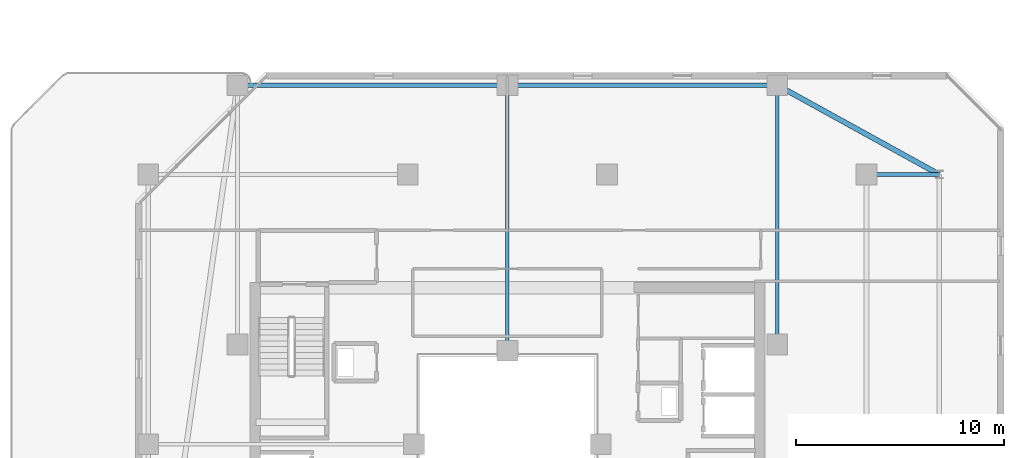
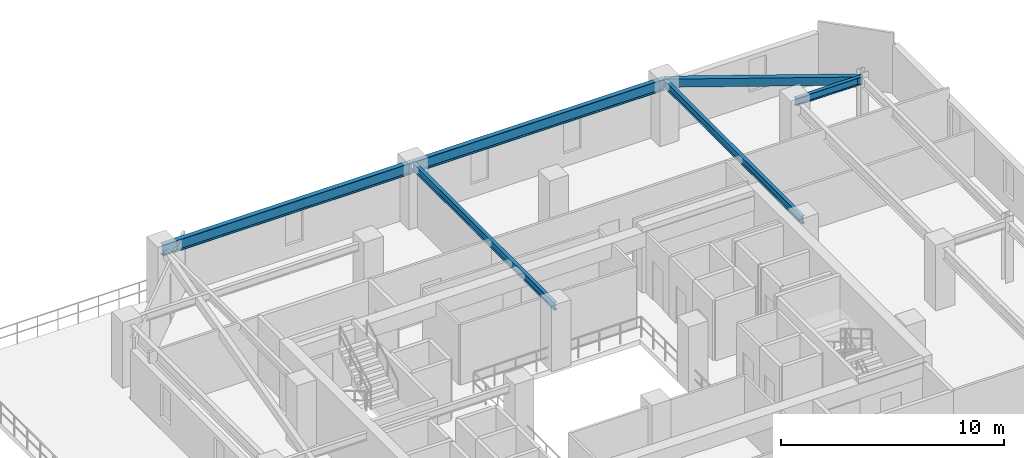
# One storey, part 15 of 29: 6 beams.
"""IFC4 building model written with IfcOpenShell, lengths in metres."""

from ifc_helpers import new_model, si_unit, direction, frame, origin, origin_2d, place, context, subcontext, project, spatial, hollow_rectangle, i_section, extrude, material, material_profile, profile_set, type_object, element, save


model = new_model("IFC4")

# Units and contexts
model_context = context("Model", 3, precision=1e-05, world=origin(), true_north=direction((0.0, 1.0)))
body_context = subcontext(model_context, "Body", "Model", "MODEL_VIEW")
ifc_project = project(units=[si_unit("LENGTHUNIT", "METRE"), si_unit("AREAUNIT", "SQUARE_METRE"), si_unit("VOLUMEUNIT", "CUBIC_METRE"), si_unit("PLANEANGLEUNIT", "RADIAN"), si_unit("MASSUNIT", "GRAM", prefix="KILO")], contexts=[model_context])

# Site, building, storey
site_placement = place(None, origin())
site = spatial("IfcSite", under=ifc_project, at=site_placement, CompositionType="ELEMENT")
building_placement = place(site_placement, origin())
building = spatial("IfcBuilding", under=site, at=building_placement, Name="Thornwick Lancets Civic Towers", CompositionType="ELEMENT")
storey_placement = place(building_placement, frame((0.0, 0.0, 229.5)))
storey = spatial("IfcBuildingStorey", under=building, at=storey_placement, Name="L61", CompositionType="ELEMENT", Elevation=229.5)

# Beams
ifc_material = material(Name="Steel S355JR", Category="steel")
ifc_material_profile_1 = material_profile(ifc_material, i_section(OverallWidth=0.230224609375, OverallDepth=0.6171875, WebThickness=0.01318359375, FlangeThickness=0.022216796875, FilletRadius=0.0126953125, at=origin_2d()), Name="UKB 610x229x140")
ifc_profile_set_1 = profile_set([ifc_material_profile_1], Name="Steel S355JR")
beam_type_1 = type_object("IfcBeamType", Name="BM_GIRD_610_140", PredefinedType="BEAM", material=ifc_profile_set_1)
beam_1_placement = place(storey_placement, frame((101.5, 44.300048828125, 3.011474609375), z_axis=(-1.0, 0.0, 0.0), x_axis=(0.0, -1.0, 0.0)))
element("IfcBeam", 1, at=beam_1_placement, inside=storey, type_object=beam_type_1, Name="BM-SPINE-L61-B-3-4", PredefinedType="BEAM", context=body_context, shape_type="SweptSolid", body=[
    extrude(i_section(OverallWidth=0.230224609375, OverallDepth=0.6171875, WebThickness=0.01318359375, FlangeThickness=0.022216796875, FilletRadius=0.0126953125, at=origin_2d()), origin(), (0.0, 0.0, 1.0), 13.0),
])
beam_2_placement = place(storey_placement, frame((88.419921875, 44.300048828125, 3.011474609375), z_axis=(-1.0, 0.0, 0.0), x_axis=(0.0, -1.0, 0.0)))
element("IfcBeam", 2, at=beam_2_placement, inside=storey, type_object=beam_type_1, Name="BM-SPINE-L61-B-4-5", PredefinedType="BEAM", context=body_context, shape_type="SweptSolid", body=[
    extrude(i_section(OverallWidth=0.230224609375, OverallDepth=0.6171875, WebThickness=0.01318359375, FlangeThickness=0.022216796875, FilletRadius=0.0126953125, at=origin_2d()), origin(), (0.0, 0.0, 1.0), 12.919921875),
])
ifc_material_profile_2 = material_profile(ifc_material, i_section(OverallWidth=0.179443359375, OverallDepth=0.412841796875, WebThickness=0.009521484375, FlangeThickness=0.01611328125, FilletRadius=0.01025390625, at=origin_2d()), Name="UKB 406x178x74")
ifc_profile_set_2 = profile_set([ifc_material_profile_2], Name="Steel S355JR")
beam_type_2 = type_object("IfcBeamType", Name="BM_JOIST_406_74", PredefinedType="JOIST", material=ifc_profile_set_2)
beam_3_placement = place(storey_placement, frame((105.800048828125, 40.0, 3.113525390625), z_axis=(1.0, 0.0, 0.0), x_axis=(0.0, 1.0, 0.0)))
element("IfcBeam", 3, at=beam_3_placement, inside=storey, type_object=beam_type_2, Name="BM-RAD-L61-B03", PredefinedType="JOIST", context=body_context, shape_type="SweptSolid", body=[
    extrude(i_section(OverallWidth=0.179443359375, OverallDepth=0.412841796875, WebThickness=0.009521484375, FlangeThickness=0.01611328125, FilletRadius=0.01025390625, at=origin_2d()), origin(), (0.0, 0.0, 1.0), 3.5),
])
beam_4_placement = place(storey_placement, frame((101.5, 31.800048828125, 3.113525390625), z_axis=(0.0, 1.0, 0.0), x_axis=(-1.0, 0.0, 0.0)))
element("IfcBeam", 4, at=beam_4_placement, inside=storey, type_object=beam_type_2, Name="BM-RADIN-L61-B04", PredefinedType="JOIST", context=body_context, shape_type="SweptSolid", body=[
    extrude(i_section(OverallWidth=0.179443359375, OverallDepth=0.412841796875, WebThickness=0.009521484375, FlangeThickness=0.01611328125, FilletRadius=0.01025390625, at=origin_2d()), origin(), (0.0, 0.0, 1.0), 12.5),
])
beam_5_placement = place(storey_placement, frame((88.5, 31.5, 3.113525390625), z_axis=(0.0, 1.0, 0.0), x_axis=(-1.0, 0.0, 0.0)))
element("IfcBeam", 5, at=beam_5_placement, inside=storey, type_object=beam_type_2, Name="BM-RADIN-L61-B05", PredefinedType="JOIST", context=body_context, shape_type="SweptSolid", body=[
    extrude(i_section(OverallWidth=0.179443359375, OverallDepth=0.412841796875, WebThickness=0.009521484375, FlangeThickness=0.01611328125, FilletRadius=0.01025390625, at=origin_2d()), origin(), (0.0, 0.0, 1.0), 12.800048828125),
])
ifc_material_profile_3 = material_profile(ifc_material, hollow_rectangle(XDim=0.25, YDim=0.449951171875, WallThickness=0.01611328125, at=origin_2d()), Name="RHS 450x250x16")
ifc_profile_set_3 = profile_set([ifc_material_profile_3], Name="Steel S355JR")
beam_type_3 = type_object("IfcBeamType", Name="BM_RING_RHS450", PredefinedType="BEAM", material=ifc_profile_set_3)
beam_6_placement = place(storey_placement, frame((109.300048828125, 40.0, 3.094970703125), z_axis=(-0.875740348708, 0.482782395749, 0.0), x_axis=(-0.482782395749, -0.875740348708, 0.0)))
element("IfcBeam", 6, at=beam_6_placement, inside=storey, type_object=beam_type_3, Name="BM-CHAMF-L61-B-C0", PredefinedType="BEAM", context=body_context, shape_type="SweptSolid", body=[
    extrude(hollow_rectangle(XDim=0.25, YDim=0.449951171875, WallThickness=0.01611328125, at=origin_2d()), origin(), (0.0, 0.0, 1.0), 8.90673828125),
])

save(model, "model.ifc")
